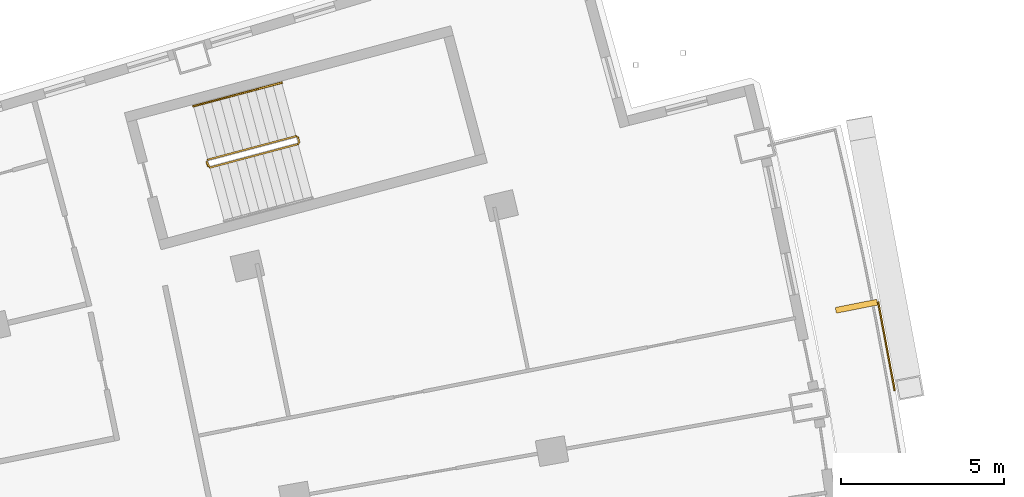
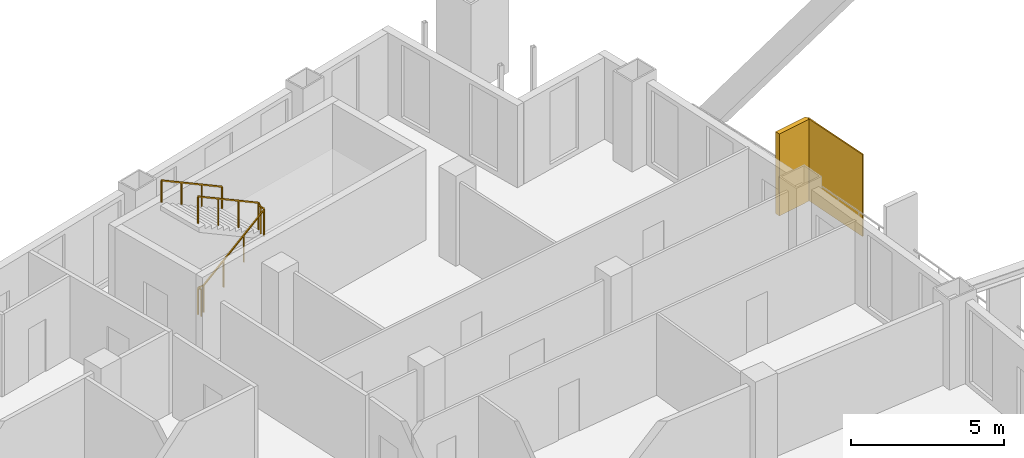
# One storey, part 20 of 20: 2 railings, 2 shading devices.
"""IFC4 building model written with IfcOpenShell, lengths in metres."""

from ifc_helpers import new_model, si_unit, direction, frame, origin, origin_2d, place, context, subcontext, project, spatial, rectangle, extrude, material, layer, layer_set, type_object, element, save


model = new_model("IFC4")

# Units and contexts
model_context = context("Model", 3, precision=1e-05, world=origin(), true_north=direction((0.0, 1.0)))
body_context = subcontext(model_context, "Body", "Model", "MODEL_VIEW")
ifc_project = project(units=[si_unit("LENGTHUNIT", "METRE"), si_unit("AREAUNIT", "SQUARE_METRE"), si_unit("VOLUMEUNIT", "CUBIC_METRE"), si_unit("PLANEANGLEUNIT", "RADIAN"), si_unit("MASSUNIT", "GRAM", prefix="KILO")], contexts=[model_context])

# Site, building, storey
site_placement = place(None, origin())
site = spatial("IfcSite", under=ifc_project, at=site_placement, CompositionType="ELEMENT")
building_placement = place(site_placement, origin())
building = spatial("IfcBuilding", under=site, at=building_placement, Name="Alderwake Tower", CompositionType="ELEMENT")
storey_placement = place(building_placement, frame((0.0, 0.0, 149.60009765625)))
storey = spatial("IfcBuildingStorey", under=building, at=storey_placement, Name="L36", CompositionType="ELEMENT", Elevation=149.60009765625)

# Shading devices
ifc_material_1 = material(Name="Bronze anodised aluminium", Category="aluminium")
ifc_layer_1 = layer(ifc_material_1, 0.179931640625)
ifc_layer_set_1 = layer_set([ifc_layer_1], Name="Facade fin 1300")
shading_device_type_1 = type_object("IfcShadingDeviceType", Name="Facade fin 1300", PredefinedType="USERDEFINED", material=ifc_layer_set_1)
shading_device_1_placement = place(storey_placement, frame((59.12890625, 88.392578125, 0.0), z_axis=(0.0, 0.0, 1.0), x_axis=(0.981163751315, 0.193177879441, 0.0)))
element("IfcShadingDevice", 1, at=shading_device_1_placement, inside=storey, type_object=shading_device_type_1, Name="Fin", ObjectType="FIN", PredefinedType="USERDEFINED", context=body_context, shape_type="SweptSolid", body=[
    extrude(rectangle(XDim=1.300048828125, YDim=0.179931640625, at=origin_2d()), origin(), (0.0, 0.0, 1.0), 3.280029296875),
])
ifc_material_2 = material(Name="Perforated bronze anodised aluminium", Category="aluminium")
ifc_layer_2 = layer(ifc_material_2, 0.050048828125)
ifc_layer_set_2 = layer_set([ifc_layer_2], Name="Perforated screen panel")
shading_device_type_2 = type_object("IfcShadingDeviceType", Name="Perforated screen panel", PredefinedType="USERDEFINED", material=ifc_layer_set_2)
shading_device_2_placement = place(storey_placement, frame((60.045166015625, 87.16455078125, 0.0), z_axis=(0.0, 0.0, 1.0), x_axis=(0.982991488043, 0.183651121519, 0.0)))
element("IfcShadingDevice", 2, at=shading_device_2_placement, inside=storey, type_object=shading_device_type_2, Name="Screen panel", ObjectType="SCREEN", PredefinedType="USERDEFINED", context=body_context, shape_type="SweptSolid", body=[
    extrude(rectangle(XDim=0.050048828125, YDim=2.763916015625, at=origin_2d()), origin(), (0.0, 0.0, 1.0), 3.280029296875),
])

# Railings
ifc_material_3 = material(Name="Stainless steel guard", Category="steel")
railing_type_1 = type_object("IfcRailingType", Name="Stair guard 1100", PredefinedType="GUARDRAIL", material=ifc_material_3)
railing_1_placement = place(storey_placement, frame((39.23291015625, 92.6806640625, 0.0)))
element("IfcRailing", 3, at=railing_1_placement, inside=storey, type_object=railing_type_1, Name="L36 ST-A stair guard 1", PredefinedType="GUARDRAIL", context=body_context, shape_type="SweptSolid", body=[
    extrude(rectangle(XDim=0.048095703125, YDim=0.048095703125, at=origin_2d()), frame((0.0, 0.0, 1.076171875), z_axis=(-0.257055032184, 0.966396766566, 0.0), x_axis=(-0.966396766566, -0.257055032184, 0.0)), (0.0, 0.0, 1.0), 0.150146484375),
    extrude(rectangle(XDim=0.048095703125, YDim=0.048095703125, at=origin_2d()), frame((-0.03857421875, 0.14501953125, 1.076171875), z_axis=(0.379370725808, -0.685464465458, 0.621463047167), x_axis=(0.874937996095, 0.484234966715, 0.0)), (0.0, 0.0, 1.0), 0.26318359375),
    extrude(rectangle(XDim=0.048095703125, YDim=0.048095703125, at=origin_2d()), frame((0.061279296875, -0.035400390625, 1.23974609375), z_axis=(0.834290631165, 0.222236594766, 0.504549342183), x_axis=(-0.257402139082, 0.966304371715, 0.0)), (0.0, 0.0, 1.0), 3.242919921875),
    extrude(rectangle(XDim=0.048095703125, YDim=0.048095703125, at=origin_2d()), frame((2.766845703125, 0.685302734375, 2.8759765625), z_axis=(0.500220121494, 0.865898279276, 0.0), x_axis=(-0.865898279276, 0.500220121494, 0.0)), (0.0, 0.0, 1.0), 0.07080078125),
    extrude(rectangle(XDim=0.048095703125, YDim=0.048095703125, at=origin_2d()), frame((2.80224609375, 0.74658203125, 2.8759765625), z_axis=(-0.257459803502, 0.966289009345, 0.0), x_axis=(-0.966289009345, -0.257459803502, 0.0)), (0.0, 0.0, 1.0), 0.14990234375),
    extrude(rectangle(XDim=0.048095703125, YDim=0.048095703125, at=origin_2d()), frame((2.763671875, 0.891357421875, 2.8759765625), z_axis=(-0.34209458732, 0.199783238995, 0.918181872367), x_axis=(-0.504300490226, -0.863528236688, 0.0)), (0.0, 0.0, 1.0), 0.178466796875),
    extrude(rectangle(XDim=0.048095703125, YDim=0.048095703125, at=origin_2d()), frame((2.70263671875, 0.927001953125, 3.03955078125), z_axis=(-0.834313512087, -0.222222637163, 0.504517653885), x_axis=(0.257380452725, -0.966310148221, 0.0)), (0.0, 0.0, 1.0), 3.2431640625),
    extrude(rectangle(XDim=0.0419921875, YDim=0.0419921875, at=origin_2d()), frame((0.0, 0.0, 0.0), z_axis=(0.0, 0.0, 1.0), x_axis=(-0.257055032184, 0.966396766566, 0.0)), (0.0, 0.0, 1.0), 1.052001953125),
    extrude(rectangle(XDim=0.0419921875, YDim=0.0419921875, at=origin_2d()), frame((-0.03857421875, 0.14501953125, 0.0), z_axis=(0.0, 0.0, 1.0), x_axis=(0.484234966715, -0.874937996095, 0.0)), (0.0, 0.0, 1.0), 1.052001953125),
    extrude(rectangle(XDim=0.0419921875, YDim=0.0419921875, at=origin_2d()), frame((0.061279296875, -0.035400390625, 0.16357421875), z_axis=(0.0, 0.0, 1.0), x_axis=(0.966304371715, 0.257402139082, 0.0)), (0.0, 0.0, 1.0), 1.052001953125),
    extrude(rectangle(XDim=0.0419921875, YDim=0.0419921875, at=origin_2d()), frame((0.963134765625, 0.204833984375, 0.708984375), z_axis=(0.0, 0.0, 1.0), x_axis=(0.966304371715, 0.257402139082, 0.0)), (0.0, 0.0, 1.0), 1.052001953125),
    extrude(rectangle(XDim=0.0419921875, YDim=0.0419921875, at=origin_2d()), frame((1.864990234375, 0.445068359375, 1.25439453125), z_axis=(0.0, 0.0, 1.0), x_axis=(0.966304371715, 0.257402139082, 0.0)), (0.0, 0.0, 1.0), 1.052001953125),
    extrude(rectangle(XDim=0.0419921875, YDim=0.0419921875, at=origin_2d()), frame((2.766845703125, 0.685302734375, 1.7998046875), z_axis=(0.0, 0.0, 1.0), x_axis=(0.500220121494, 0.865898279276, 0.0)), (0.0, 0.0, 1.0), 1.052001953125),
    extrude(rectangle(XDim=0.0419921875, YDim=0.0419921875, at=origin_2d()), frame((2.80224609375, 0.74658203125, 1.7998046875), z_axis=(0.0, 0.0, 1.0), x_axis=(-0.257459803502, 0.966289009345, 0.0)), (0.0, 0.0, 1.0), 1.052001953125),
    extrude(rectangle(XDim=0.0419921875, YDim=0.0419921875, at=origin_2d()), frame((2.763671875, 0.891357421875, 1.7998046875), z_axis=(0.0, 0.0, 1.0), x_axis=(-0.863528236688, 0.504300490226, 0.0)), (0.0, 0.0, 1.0), 1.052001953125),
    extrude(rectangle(XDim=0.0419921875, YDim=0.0419921875, at=origin_2d()), frame((2.70263671875, 0.927001953125, 1.963623046875), z_axis=(0.0, 0.0, 1.0), x_axis=(-0.966310148221, -0.257380452725, 0.0)), (0.0, 0.0, 1.0), 1.052001953125),
    extrude(rectangle(XDim=0.0419921875, YDim=0.0419921875, at=origin_2d()), frame((1.80078125, 0.686767578125, 2.509033203125), z_axis=(0.0, 0.0, 1.0), x_axis=(-0.966310148221, -0.257380452725, 0.0)), (0.0, 0.0, 1.0), 1.052001953125),
    extrude(rectangle(XDim=0.0419921875, YDim=0.0419921875, at=origin_2d()), frame((0.898681640625, 0.446533203125, 3.054443359375), z_axis=(0.0, 0.0, 1.0), x_axis=(-0.966310148221, -0.257380452725, 0.0)), (0.0, 0.0, 1.0), 1.052001953125),
    extrude(rectangle(XDim=0.0419921875, YDim=0.0419921875, at=origin_2d()), frame((-0.003173828125, 0.206298828125, 3.599853515625), z_axis=(0.0, 0.0, 1.0), x_axis=(-0.966310148221, -0.257380452725, 0.0)), (0.0, 0.0, 1.0), 1.052001953125),
])
ifc_material_4 = material(Name="Stainless steel handrail", Category="steel")
railing_type_2 = type_object("IfcRailingType", Name="Stair handrail 900", PredefinedType="HANDRAIL", material=ifc_material_4)
railing_2_placement = place(storey_placement, frame((41.497802734375, 95.250244140625, 1.963623046875)))
element("IfcRailing", 4, at=railing_2_placement, inside=storey, type_object=railing_type_2, Name="L36 ST-A stair handrail 2", PredefinedType="HANDRAIL", context=body_context, shape_type="SweptSolid", body=[
    extrude(rectangle(XDim=0.048095703125, YDim=0.048095703125, at=origin_2d()), frame((0.0, 0.0, 0.8759765625), z_axis=(-0.834290631165, -0.222236594766, 0.504549342183), x_axis=(0.257402139082, -0.966304371715, 0.0)), (0.0, 0.0, 1.0), 3.242919921875),
    extrude(rectangle(XDim=0.0419921875, YDim=0.0419921875, at=origin_2d()), frame((0.0, 0.0, 0.0), z_axis=(0.0, 0.0, 1.0), x_axis=(-0.966304371715, -0.257402139082, 0.0)), (0.0, 0.0, 1.0), 0.851806640625),
    extrude(rectangle(XDim=0.0419921875, YDim=0.0419921875, at=origin_2d()), frame((-0.90185546875, -0.240234375, 0.54541015625), z_axis=(0.0, 0.0, 1.0), x_axis=(-0.966304371715, -0.257402139082, 0.0)), (0.0, 0.0, 1.0), 0.851806640625),
    extrude(rectangle(XDim=0.0419921875, YDim=0.0419921875, at=origin_2d()), frame((-1.8037109375, -0.48046875, 1.0908203125), z_axis=(0.0, 0.0, 1.0), x_axis=(-0.966304371715, -0.257402139082, 0.0)), (0.0, 0.0, 1.0), 0.851806640625),
    extrude(rectangle(XDim=0.0419921875, YDim=0.0419921875, at=origin_2d()), frame((-2.70556640625, -0.720703125, 1.63623046875), z_axis=(0.0, 0.0, 1.0), x_axis=(-0.966304371715, -0.257402139082, 0.0)), (0.0, 0.0, 1.0), 0.851806640625),
])

save(model, "model.ifc")
